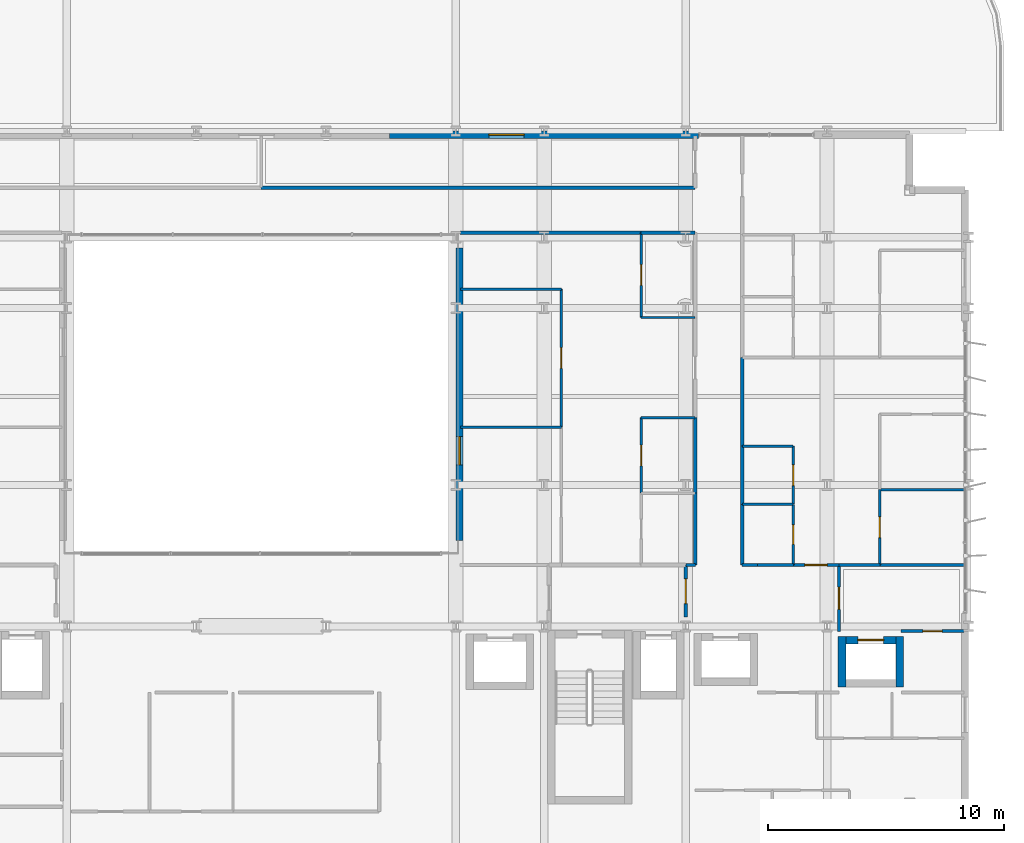
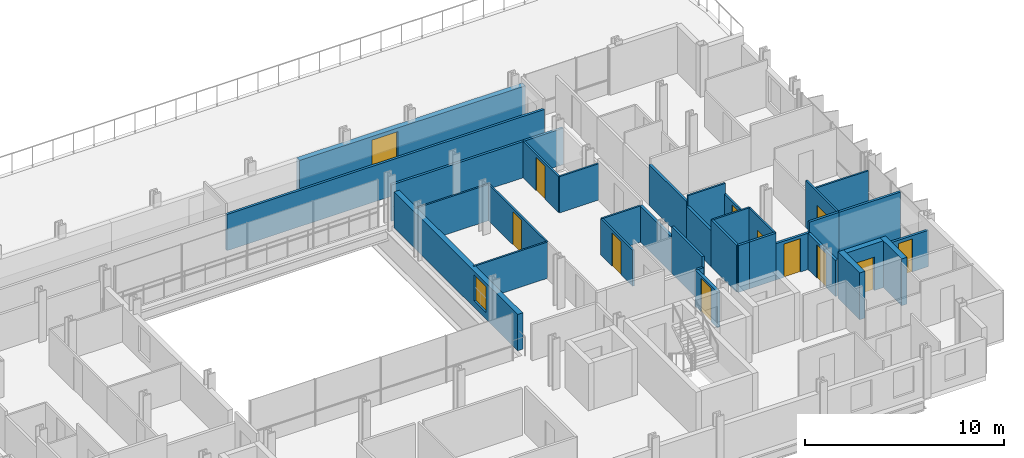
# One storey, part 31 of 38: 35 walls, 11 doors, 2 windows, 13 openings.
"""IFC4 building model written with IfcOpenShell, lengths in metres."""

from ifc_helpers import new_model, si_unit, direction, frame, frame_2d, origin, place, context, subcontext, project, spatial, rectangle, extrude, material, layer, layer_set, type_object, element, fill, save


model = new_model("IFC4")

# Units and contexts
model_context = context("Model", 3, precision=1e-05, world=origin(), true_north=direction((0.0, 1.0)))
body_context = subcontext(model_context, "Body", "Model", "MODEL_VIEW")
ifc_project = project(units=[si_unit("LENGTHUNIT", "METRE"), si_unit("AREAUNIT", "SQUARE_METRE"), si_unit("VOLUMEUNIT", "CUBIC_METRE"), si_unit("PLANEANGLEUNIT", "RADIAN"), si_unit("MASSUNIT", "GRAM", prefix="KILO")], contexts=[model_context])

# Site, building, storey
site_placement = place(None, origin())
site = spatial("IfcSite", under=ifc_project, at=site_placement, CompositionType="ELEMENT")
building_placement = place(site_placement, origin())
building = spatial("IfcBuilding", under=site, at=building_placement, Name="Brevholm Reach", CompositionType="ELEMENT")
storey_placement = place(building_placement, frame((0.0, 0.0, 28.0)))
storey = spatial("IfcBuildingStorey", under=building, at=storey_placement, Name="L06", CompositionType="ELEMENT", Elevation=28.0)

# Walls
ifc_material_1 = material(Name="Concrete C60/75", Category="concrete")
ifc_layer_1 = layer(ifc_material_1, 0.320068359375)
ifc_layer_set_1 = layer_set([ifc_layer_1], Name="Concrete C60/75")
wall_type_1 = type_object("IfcWallType", Name="WAL-COR-320", PredefinedType="SHEAR", material=ifc_layer_set_1)
for number, where, z_axis, x_axis, name in (
    (1, (54.6298828125, 7.419921875, 0.0), (0.0, 0.0, 1.0), (0.0, 1.0, 0.0), "L06 Lift PL-L2 Shaft Wall W"),
    (2, (57.070068359375, 7.419921875, 0.0), (0.0, 0.0, 1.0), (0.0, 1.0, 0.0), "L06 Lift PL-L2 Shaft Wall E"),
):
    element("IfcWall", number, at=place(storey_placement, frame(where, z_axis=z_axis, x_axis=x_axis)), inside=storey, type_object=wall_type_1, Name=name, PredefinedType="SHEAR", context=body_context, shape_type="SweptSolid", body=[
        extrude(rectangle(XDim=2.16015625, YDim=0.320068359375, at=frame_2d((1.080078125, 0.0))), origin(), (0.0, 0.0, 1.0), 2.8701171875),
    ])

# Wall, opening, door
wall_1_placement = place(storey_placement, frame((54.7900390625, 9.419921875, 0.0), z_axis=(0.0, 0.0, 1.0), x_axis=(1.0, 0.0, 0.0)))
wall_1 = element("IfcWall", 3, at=wall_1_placement, inside=storey, type_object=wall_type_1, Name="L06 Lift PL-L2 Shaft Wall N", PredefinedType="SHEAR", context=body_context, shape_type="SweptSolid", body=[
    extrude(rectangle(XDim=2.119873046875, YDim=0.320068359375, at=frame_2d((1.06005859375, 0.0))), origin(), (0.0, 0.0, 1.0), 2.8701171875),
])
opening_1_placement = place(wall_1_placement, frame((0.510009765625, 0.0, 0.0)))
opening_1 = element("IfcOpeningElement", 4, at=opening_1_placement, cuts=wall_1, Name="Opening LD-PL-L2", PredefinedType="OPENING", context=body_context, shape_type="SweptSolid", body=[
    extrude(rectangle(XDim=1.10009765625, YDim=2.06005859375, at=frame_2d((0.550048828125, 1.030029296875))), frame((0.0, 0.169921875, 0.0), z_axis=(0.0, -1.0, 0.0), x_axis=(1.0, 0.0, 0.0)), (0.0, 0.0, 1.0), 0.340087890625),
])
ifc_material_2 = material(Name="Brushed Stainless Steel Fire-Rated Sliding Lift Door", Category="steel")
door_type_1 = type_object("IfcDoorType", Name="DOR-LFT-1100", OperationType="NOTDEFINED", PredefinedType="DOOR", material=ifc_material_2)
door_1_placement = place(opening_1_placement, origin())
door_1 = element("IfcDoor", 5, at=door_1_placement, inside=storey, type_object=door_type_1, Name="L06 Lift PL-L2 Sliding Landing Door", OperationType="SLIDING_TO_LEFT", OverallHeight=2.06005859375, OverallWidth=1.10009765625, PredefinedType="DOOR", context=body_context, shape_type="SweptSolid", body=[
    extrude(rectangle(XDim=1.10009765625, YDim=2.06005859375, at=frame_2d((0.550048828125, 1.030029296875))), frame((0.0, 0.02490234375, 0.0), z_axis=(0.0, -1.0, 0.0), x_axis=(1.0, 0.0, 0.0)), (0.0, 0.0, 1.0), 0.050048828125),
])
fill(opening_1, door_1)

# Wall, opening, window
ifc_material_3 = material(Name="Concrete C40/50", Category="concrete")
ifc_layer_2 = layer(ifc_material_3, 0.300048828125)
ifc_layer_set_2 = layer_set([ifc_layer_2], Name="Concrete C40/50")
wall_type_2 = type_object("IfcWallType", Name="WAL-EXT-300", PredefinedType="STANDARD", material=ifc_layer_set_2)
wall_2_placement = place(storey_placement, frame((35.449951171875, 30.85009765625, 0.0), z_axis=(0.0, 0.0, 1.0), x_axis=(1.0, 0.0, 0.0)))
wall_2 = element("IfcWall", 6, at=wall_2_placement, inside=storey, type_object=wall_type_2, Name="L06 Facade Wall WAL-L06-NP-R", PredefinedType="STANDARD", context=body_context, shape_type="SweptSolid", body=[
    extrude(rectangle(XDim=13.10009765625, YDim=0.300048828125, at=frame_2d((6.550048828125, 0.0))), origin(), (0.0, 0.0, 1.0), 2.305419921875),
])
opening_2_placement = place(wall_2_placement, frame((4.199951171875, 0.0, 0.284912109375)))
opening_2 = element("IfcOpeningElement", 7, at=opening_2_placement, cuts=wall_2, Name="Opening WN-05", PredefinedType="OPENING", context=body_context, shape_type="SweptSolid", body=[
    extrude(rectangle(XDim=1.5, YDim=1.800048828125, at=frame_2d((0.75, 0.89990234375))), frame((0.0, 0.159912109375, 0.0), z_axis=(0.0, -1.0, 0.0), x_axis=(1.0, 0.0, 0.0)), (0.0, 0.0, 1.0), 0.320068359375),
])
ifc_material_4 = material(Name="Dark Anodised Aluminium and Solar-Control IGU Glass", Category="aluminium")
window_type_1 = type_object("IfcWindowType", Name="WIN-RES-1500", PartitioningType="SINGLE_PANEL", PredefinedType="WINDOW", material=ifc_material_4)
window_1_placement = place(opening_2_placement, origin())
window_1 = element("IfcWindow", 8, at=window_1_placement, inside=storey, type_object=window_type_1, Name="L06 Window WIN-L06-NPR-1", OverallHeight=1.800048828125, OverallWidth=1.5, PartitioningType="SINGLE_PANEL", PredefinedType="WINDOW", context=body_context, shape_type="SweptSolid", body=[
    extrude(rectangle(XDim=1.5, YDim=1.800048828125, at=frame_2d((0.75, 0.89990234375))), frame((0.0, 0.030029296875, 0.0), z_axis=(0.0, -1.0, 0.0), x_axis=(1.0, 0.0, 0.0)), (0.0, 0.0, 1.0), 0.06005859375),
])
fill(opening_2, window_1)

wall_3_placement = place(storey_placement, frame((38.39990234375, 13.64990234375, 0.0), z_axis=(0.0, 0.0, 1.0), x_axis=(0.0, 1.0, 0.0)))
wall_3 = element("IfcWall", 9, at=wall_3_placement, inside=storey, type_object=wall_type_2, Name="L06 Facade Wall WAL-L06-AT-E", PredefinedType="STANDARD", context=body_context, shape_type="SweptSolid", body=[
    extrude(rectangle(XDim=12.400146484375, YDim=0.300048828125, at=frame_2d((6.2001953125, 0.0))), origin(), (0.0, 0.0, 1.0), 2.224853515625),
])
opening_3_placement = place(wall_3_placement, frame((3.199951171875, 0.0, 0.405029296875)))
opening_3 = element("IfcOpeningElement", 10, at=opening_3_placement, cuts=wall_3, Name="Opening WN-08", PredefinedType="OPENING", context=body_context, shape_type="SweptSolid", body=[
    extrude(rectangle(XDim=1.199951171875, YDim=1.60009765625, at=frame_2d((0.60009765625, 0.800048828125))), frame((0.0, 0.159912109375, 0.0), z_axis=(0.0, -1.0, 0.0), x_axis=(1.0, 0.0, 0.0)), (0.0, 0.0, 1.0), 0.320068359375),
])
ifc_material_5 = material(Name="Dark Anodised Aluminium and Solar-Control IGU Glass", Category="aluminium")
window_type_2 = type_object("IfcWindowType", Name="WIN-RES-1200", PartitioningType="SINGLE_PANEL", PredefinedType="WINDOW", material=ifc_material_5)
window_2_placement = place(opening_3_placement, origin())
window_2 = element("IfcWindow", 11, at=window_2_placement, inside=storey, type_object=window_type_2, Name="L06 Window WIN-L06-AT-E1", OverallHeight=1.60009765625, OverallWidth=1.199951171875, PartitioningType="SINGLE_PANEL", PredefinedType="WINDOW", context=body_context, shape_type="SweptSolid", body=[
    extrude(rectangle(XDim=1.199951171875, YDim=1.60009765625, at=frame_2d((0.60009765625, 0.800048828125))), frame((0.0, 0.030029296875, 0.0), z_axis=(0.0, -1.0, 0.0), x_axis=(1.0, 0.0, 0.0)), (0.0, 0.0, 1.0), 0.06005859375),
])
fill(opening_3, window_2)

# Wall
ifc_material_6 = material(Name="Moisture-Resistant Acoustic Gypsum Stud Partition 100 mm", Category="gypsum")
ifc_layer_3 = layer(ifc_material_6, 0.10009765625)
ifc_layer_set_3 = layer_set([ifc_layer_3], Name="Moisture-Resistant Acoustic Gypsum Stud Partition 100 mm")
wall_type_3 = type_object("IfcWallType", Name="WAL-PRT-100", PredefinedType="PARTITIONING", material=ifc_layer_set_3)
wall_4_placement = place(storey_placement, frame((46.112060546875, 18.85009765625, 0.0), z_axis=(0.0, 0.0, 1.0), x_axis=(1.0, 0.0, 0.0)))
element("IfcWall", 12, at=wall_4_placement, inside=storey, type_object=wall_type_3, Name="L06 Internal Partition 120", PredefinedType="PARTITIONING", context=body_context, shape_type="SweptSolid", body=[
    extrude(rectangle(XDim=2.283935546875, YDim=0.10009765625, at=frame_2d((1.14208984375, 0.0))), origin(), (0.0, 0.0, 1.0), 2.224853515625),
])

# Wall, opening, door
wall_5_placement = place(storey_placement, frame((46.112060546875, 15.654052734375, 0.0), z_axis=(0.0, 0.0, 1.0), x_axis=(0.0, 1.0, 0.0)))
wall_5 = element("IfcWall", 13, at=wall_5_placement, inside=storey, type_object=wall_type_3, Name="L06 Internal Partition 121", PredefinedType="PARTITIONING", context=body_context, shape_type="SweptSolid", body=[
    extrude(rectangle(XDim=3.196044921875, YDim=0.10009765625, at=frame_2d((1.59814453125, 0.0))), origin(), (0.0, 0.0, 1.0), 2.224853515625),
])
opening_4_placement = place(wall_5_placement, frame((1.157958984375, 0.0, 0.0)))
opening_4 = element("IfcOpeningElement", 14, at=opening_4_placement, cuts=wall_5, Name="Opening ID-01", PredefinedType="OPENING", context=body_context, shape_type="SweptSolid", body=[
    extrude(rectangle(XDim=0.8798828125, YDim=2.0400390625, at=frame_2d((0.43994140625, 1.02001953125))), frame((0.0, 0.06005859375, 0.0), z_axis=(0.0, -1.0, 0.0), x_axis=(1.0, 0.0, 0.0)), (0.0, 0.0, 1.0), 0.1201171875),
])
ifc_material_7 = material(Name="Lacquered Ash Solid-Core Acoustic Internal Door", Category="timber")
door_type_2 = type_object("IfcDoorType", Name="DOR-INT-880", OperationType="NOTDEFINED", PredefinedType="DOOR", material=ifc_material_7)
door_2_placement = place(opening_4_placement, origin())
door_2 = element("IfcDoor", 15, at=door_2_placement, inside=storey, type_object=door_type_2, Name="L06 Internal Door 045", OperationType="SINGLE_SWING_RIGHT", OverallHeight=2.0400390625, OverallWidth=0.8798828125, PredefinedType="DOOR", context=body_context, shape_type="SweptSolid", body=[
    extrude(rectangle(XDim=0.8798828125, YDim=2.0400390625, at=frame_2d((0.43994140625, 1.02001953125))), frame((0.0, 0.02490234375, 0.0), z_axis=(0.0, -1.0, 0.0), x_axis=(1.0, 0.0, 0.0)), (0.0, 0.0, 1.0), 0.050048828125),
])
fill(opening_4, door_2)

# Wall
wall_6_placement = place(storey_placement, frame((46.112060546875, 23.10009765625, 0.0), z_axis=(0.0, 0.0, 1.0), x_axis=(1.0, 0.0, 0.0)))
element("IfcWall", 16, at=wall_6_placement, inside=storey, type_object=wall_type_3, Name="L06 Internal Partition 122", PredefinedType="PARTITIONING", context=body_context, shape_type="SweptSolid", body=[
    extrude(rectangle(XDim=2.283935546875, YDim=0.10009765625, at=frame_2d((1.14208984375, 0.0))), origin(), (0.0, 0.0, 1.0), 2.224853515625),
])

# Wall, opening, door
wall_7_placement = place(storey_placement, frame((46.112060546875, 23.10009765625, 0.0), z_axis=(0.0, 0.0, 1.0), x_axis=(0.0, 1.0, 0.0)))
wall_7 = element("IfcWall", 17, at=wall_7_placement, inside=storey, type_object=wall_type_3, Name="L06 Internal Partition 123", PredefinedType="PARTITIONING", context=body_context, shape_type="SweptSolid", body=[
    extrude(rectangle(XDim=3.595947265625, YDim=0.10009765625, at=frame_2d((1.7978515625, 0.0))), origin(), (0.0, 0.0, 1.0), 2.224853515625),
])
opening_5_placement = place(wall_7_placement, frame((1.35791015625, 0.0, 0.0)))
opening_5 = element("IfcOpeningElement", 18, at=opening_5_placement, cuts=wall_7, Name="Opening ID-01", PredefinedType="OPENING", context=body_context, shape_type="SweptSolid", body=[
    extrude(rectangle(XDim=0.8798828125, YDim=2.0400390625, at=frame_2d((0.43994140625, 1.02001953125))), frame((0.0, 0.06005859375, 0.0), z_axis=(0.0, -1.0, 0.0), x_axis=(1.0, 0.0, 0.0)), (0.0, 0.0, 1.0), 0.1201171875),
])
door_3_placement = place(opening_5_placement, origin())
door_3 = element("IfcDoor", 19, at=door_3_placement, inside=storey, type_object=door_type_2, Name="L06 Internal Door 046", OperationType="SINGLE_SWING_LEFT", OverallHeight=2.0400390625, OverallWidth=0.8798828125, PredefinedType="DOOR", context=body_context, shape_type="SweptSolid", body=[
    extrude(rectangle(XDim=0.8798828125, YDim=2.0400390625, at=frame_2d((0.43994140625, 1.02001953125))), frame((0.0, 0.02490234375, 0.0), z_axis=(0.0, -1.0, 0.0), x_axis=(1.0, 0.0, 0.0)), (0.0, 0.0, 1.0), 0.050048828125),
])
fill(opening_5, door_3)

# Wall
wall_8_placement = place(storey_placement, frame((38.449951171875, 18.449951171875, 0.0), z_axis=(0.0, 0.0, 1.0), x_axis=(1.0, 0.0, 0.0)))
element("IfcWall", 20, at=wall_8_placement, inside=storey, type_object=wall_type_3, Name="L06 Internal Partition 124", PredefinedType="PARTITIONING", context=body_context, shape_type="SweptSolid", body=[
    extrude(rectangle(XDim=4.278076171875, YDim=0.10009765625, at=frame_2d((2.13916015625, 0.0))), origin(), (0.0, 0.0, 1.0), 2.224853515625),
])

# Wall, opening, door
wall_9_placement = place(storey_placement, frame((42.72802734375, 18.4541015625, 0.0), z_axis=(0.0, 0.0, 1.0), x_axis=(0.0, 1.0, 0.0)))
wall_9 = element("IfcWall", 21, at=wall_9_placement, inside=storey, type_object=wall_type_3, Name="L06 Internal Partition 126", PredefinedType="PARTITIONING", context=body_context, shape_type="SweptSolid", body=[
    extrude(rectangle(XDim=5.845947265625, YDim=0.10009765625, at=frame_2d((2.9228515625, 0.0))), origin(), (0.0, 0.0, 1.0), 2.224853515625),
])
opening_6_placement = place(wall_9_placement, frame((2.48291015625, 0.0, 0.0)))
opening_6 = element("IfcOpeningElement", 22, at=opening_6_placement, cuts=wall_9, Name="Opening ID-01", PredefinedType="OPENING", context=body_context, shape_type="SweptSolid", body=[
    extrude(rectangle(XDim=0.8798828125, YDim=2.0400390625, at=frame_2d((0.43994140625, 1.02001953125))), frame((0.0, 0.06005859375, 0.0), z_axis=(0.0, -1.0, 0.0), x_axis=(1.0, 0.0, 0.0)), (0.0, 0.0, 1.0), 0.1201171875),
])
door_4_placement = place(opening_6_placement, origin())
door_4 = element("IfcDoor", 23, at=door_4_placement, inside=storey, type_object=door_type_2, Name="L06 Internal Door 048", OperationType="SINGLE_SWING_LEFT", OverallHeight=2.0400390625, OverallWidth=0.8798828125, PredefinedType="DOOR", context=body_context, shape_type="SweptSolid", body=[
    extrude(rectangle(XDim=0.8798828125, YDim=2.0400390625, at=frame_2d((0.43994140625, 1.02001953125))), frame((0.0, 0.02490234375, 0.0), z_axis=(0.0, -1.0, 0.0), x_axis=(1.0, 0.0, 0.0)), (0.0, 0.0, 1.0), 0.050048828125),
])
fill(opening_6, door_4)

# Walls
wall_10_placement = place(storey_placement, frame((38.449951171875, 24.300048828125, 0.0), z_axis=(0.0, 0.0, 1.0), x_axis=(1.0, 0.0, 0.0)))
element("IfcWall", 24, at=wall_10_placement, inside=storey, type_object=wall_type_3, Name="L06 Internal Partition 127", PredefinedType="PARTITIONING", context=body_context, shape_type="SweptSolid", body=[
    extrude(rectangle(XDim=4.278076171875, YDim=0.10009765625, at=frame_2d((2.13916015625, 0.0))), origin(), (0.0, 0.0, 1.0), 2.224853515625),
])
wall_11_placement = place(storey_placement, frame((50.404052734375, 15.176025390625, 0.0), z_axis=(0.0, 0.0, 1.0), x_axis=(1.0, 0.0, 0.0)))
element("IfcWall", 25, at=wall_11_placement, inside=storey, type_object=wall_type_3, Name="L06 Internal Partition 128", PredefinedType="PARTITIONING", context=body_context, shape_type="SweptSolid", body=[
    extrude(rectangle(XDim=2.157958984375, YDim=0.10009765625, at=frame_2d((1.0791015625, 0.0))), origin(), (0.0, 0.0, 1.0), 2.8701171875),
])

# Wall, opening, door
wall_12_placement = place(storey_placement, frame((52.56201171875, 12.60400390625, 0.0), z_axis=(0.0, 0.0, 1.0), x_axis=(0.0, 1.0, 0.0)))
wall_12 = element("IfcWall", 26, at=wall_12_placement, inside=storey, type_object=wall_type_3, Name="L06 Internal Partition 129", PredefinedType="PARTITIONING", context=body_context, shape_type="SweptSolid", body=[
    extrude(rectangle(XDim=2.572021484375, YDim=0.10009765625, at=frame_2d((1.2861328125, 0.0))), origin(), (0.0, 0.0, 1.0), 2.8701171875),
])
opening_7_placement = place(wall_12_placement, frame((0.8759765625, 0.0, 0.0)))
opening_7 = element("IfcOpeningElement", 27, at=opening_7_placement, cuts=wall_12, Name="Opening ID-03", PredefinedType="OPENING", context=body_context, shape_type="SweptSolid", body=[
    extrude(rectangle(XDim=0.820068359375, YDim=2.02001953125, at=frame_2d((0.41015625, 1.010009765625))), frame((0.0, 0.06005859375, 0.0), z_axis=(0.0, -1.0, 0.0), x_axis=(1.0, 0.0, 0.0)), (0.0, 0.0, 1.0), 0.1201171875),
])
ifc_material_8 = material(Name="Moisture-Resistant Painted Timber Internal Bathroom Door", Category="wood")
door_type_3 = type_object("IfcDoorType", Name="DOR-BATH-820", OperationType="NOTDEFINED", PredefinedType="DOOR", material=ifc_material_8)
door_5_placement = place(opening_7_placement, origin())
door_5 = element("IfcDoor", 28, at=door_5_placement, inside=storey, type_object=door_type_3, Name="L06 Internal Door 049", OperationType="SINGLE_SWING_RIGHT", OverallHeight=2.02001953125, OverallWidth=0.820068359375, PredefinedType="DOOR", context=body_context, shape_type="SweptSolid", body=[
    extrude(rectangle(XDim=0.820068359375, YDim=2.02001953125, at=frame_2d((0.41015625, 1.010009765625))), frame((0.0, 0.02490234375, 0.0), z_axis=(0.0, -1.0, 0.0), x_axis=(1.0, 0.0, 0.0)), (0.0, 0.0, 1.0), 0.050048828125),
])
fill(opening_7, door_5)

wall_13_placement = place(storey_placement, frame((52.56201171875, 15.179931640625, 0.0), z_axis=(0.0, 0.0, 1.0), x_axis=(0.0, 1.0, 0.0)))
wall_13 = element("IfcWall", 29, at=wall_13_placement, inside=storey, type_object=wall_type_3, Name="L06 Internal Partition 130", PredefinedType="PARTITIONING", context=body_context, shape_type="SweptSolid", body=[
    extrude(rectangle(XDim=2.4599609375, YDim=0.10009765625, at=frame_2d((1.22998046875, 0.0))), origin(), (0.0, 0.0, 1.0), 2.224853515625),
])
opening_8_placement = place(wall_13_placement, frame((0.7900390625, 0.0, 0.0)))
opening_8 = element("IfcOpeningElement", 30, at=opening_8_placement, cuts=wall_13, Name="Opening ID-01", PredefinedType="OPENING", context=body_context, shape_type="SweptSolid", body=[
    extrude(rectangle(XDim=0.8798828125, YDim=2.0400390625, at=frame_2d((0.43994140625, 1.02001953125))), frame((0.0, 0.06005859375, 0.0), z_axis=(0.0, -1.0, 0.0), x_axis=(1.0, 0.0, 0.0)), (0.0, 0.0, 1.0), 0.1201171875),
])
door_6_placement = place(opening_8_placement, origin())
door_6 = element("IfcDoor", 31, at=door_6_placement, inside=storey, type_object=door_type_2, Name="L06 Internal Door 050", OperationType="SINGLE_SWING_LEFT", OverallHeight=2.0400390625, OverallWidth=0.8798828125, PredefinedType="DOOR", context=body_context, shape_type="SweptSolid", body=[
    extrude(rectangle(XDim=0.8798828125, YDim=2.0400390625, at=frame_2d((0.43994140625, 1.02001953125))), frame((0.0, 0.02490234375, 0.0), z_axis=(0.0, -1.0, 0.0), x_axis=(1.0, 0.0, 0.0)), (0.0, 0.0, 1.0), 0.050048828125),
])
fill(opening_8, door_6)

# Walls
wall_14_placement = place(storey_placement, frame((50.404052734375, 17.639892578125, 0.0), z_axis=(0.0, 0.0, 1.0), x_axis=(1.0, 0.0, 0.0)))
element("IfcWall", 32, at=wall_14_placement, inside=storey, type_object=wall_type_3, Name="L06 Internal Partition 131", PredefinedType="PARTITIONING", context=body_context, shape_type="SweptSolid", body=[
    extrude(rectangle(XDim=2.157958984375, YDim=0.10009765625, at=frame_2d((1.0791015625, 0.0))), origin(), (0.0, 0.0, 1.0), 2.8701171875),
])
wall_15_placement = place(storey_placement, frame((56.22802734375, 15.800048828125, 0.0), z_axis=(0.0, 0.0, 1.0), x_axis=(1.0, 0.0, 0.0)))
element("IfcWall", 33, at=wall_15_placement, inside=storey, type_object=wall_type_3, Name="L06 Internal Partition 132", PredefinedType="PARTITIONING", context=body_context, shape_type="SweptSolid", body=[
    extrude(rectangle(XDim=3.572021484375, YDim=0.10009765625, at=frame_2d((1.7861328125, 0.0))), origin(), (0.0, 0.0, 1.0), 2.224853515625),
])

# Wall, opening, door
wall_16_placement = place(storey_placement, frame((56.22802734375, 12.60400390625, 0.0), z_axis=(0.0, 0.0, 1.0), x_axis=(0.0, 1.0, 0.0)))
wall_16 = element("IfcWall", 34, at=wall_16_placement, inside=storey, type_object=wall_type_3, Name="L06 Internal Partition 133", PredefinedType="PARTITIONING", context=body_context, shape_type="SweptSolid", body=[
    extrude(rectangle(XDim=3.196044921875, YDim=0.10009765625, at=frame_2d((1.59814453125, 0.0))), origin(), (0.0, 0.0, 1.0), 2.8701171875),
])
opening_9_placement = place(wall_16_placement, frame((1.157958984375, 0.0, 0.0)))
opening_9 = element("IfcOpeningElement", 35, at=opening_9_placement, cuts=wall_16, Name="Opening ID-01", PredefinedType="OPENING", context=body_context, shape_type="SweptSolid", body=[
    extrude(rectangle(XDim=0.8798828125, YDim=2.0400390625, at=frame_2d((0.43994140625, 1.02001953125))), frame((0.0, 0.06005859375, 0.0), z_axis=(0.0, -1.0, 0.0), x_axis=(1.0, 0.0, 0.0)), (0.0, 0.0, 1.0), 0.1201171875),
])
door_7_placement = place(opening_9_placement, origin())
door_7 = element("IfcDoor", 36, at=door_7_placement, inside=storey, type_object=door_type_2, Name="L06 Internal Door 051", OperationType="SINGLE_SWING_RIGHT", OverallHeight=2.0400390625, OverallWidth=0.8798828125, PredefinedType="DOOR", context=body_context, shape_type="SweptSolid", body=[
    extrude(rectangle(XDim=0.8798828125, YDim=2.0400390625, at=frame_2d((0.43994140625, 1.02001953125))), frame((0.0, 0.02490234375, 0.0), z_axis=(0.0, -1.0, 0.0), x_axis=(1.0, 0.0, 0.0)), (0.0, 0.0, 1.0), 0.050048828125),
])
fill(opening_9, door_7)

ifc_material_9 = material(Name="Twin-Stud Acoustic Fire-Rated Gypsum Partition 140 mm", Category="gypsum")
ifc_layer_4 = layer(ifc_material_9, 0.139892578125)
ifc_layer_set_4 = layer_set([ifc_layer_4], Name="Twin-Stud Acoustic Fire-Rated Gypsum Partition 140 mm")
wall_type_4 = type_object("IfcWallType", Name="WAL-PRT-140", PredefinedType="PARTITIONING", material=ifc_layer_set_4)
wall_17_placement = place(storey_placement, frame((54.5, 9.788818359375, 0.0), z_axis=(0.0, 0.0, 1.0), x_axis=(0.0, 1.0, 0.0)))
wall_17 = element("IfcWall", 37, at=wall_17_placement, inside=storey, type_object=wall_type_4, Name="L06 Internal Partition 013", PredefinedType="PARTITIONING", context=body_context, shape_type="SweptSolid", body=[
    extrude(rectangle(XDim=2.811279296875, YDim=0.139892578125, at=frame_2d((1.40576171875, 0.0))), origin(), (0.0, 0.0, 1.0), 2.224853515625),
])
opening_10_placement = place(wall_17_placement, frame((0.9306640625, 0.0, 0.0)))
opening_10 = element("IfcOpeningElement", 38, at=opening_10_placement, cuts=wall_17, Name="Opening ID-30", PredefinedType="OPENING", context=body_context, shape_type="SweptSolid", body=[
    extrude(rectangle(XDim=0.949951171875, YDim=2.050048828125, at=frame_2d((0.47509765625, 1.02490234375))), frame((0.0, 0.079833984375, 0.0), z_axis=(0.0, -1.0, 0.0), x_axis=(1.0, 0.0, 0.0)), (0.0, 0.0, 1.0), 0.159912109375),
])
ifc_material_10 = material(Name="European Oak Veneered Solid-Core Fire Entrance Door", Category="timber")
door_type_4 = type_object("IfcDoorType", Name="DOR-FLT-FD30S", OperationType="NOTDEFINED", PredefinedType="DOOR", material=ifc_material_10)
door_8_placement = place(opening_10_placement, origin())
door_8 = element("IfcDoor", 39, at=door_8_placement, inside=storey, type_object=door_type_4, Name="L06 Internal Door 008", OperationType="SINGLE_SWING_LEFT", OverallHeight=2.050048828125, OverallWidth=0.949951171875, PredefinedType="DOOR", context=body_context, shape_type="SweptSolid", body=[
    extrude(rectangle(XDim=0.949951171875, YDim=2.050048828125, at=frame_2d((0.47509765625, 1.02490234375))), frame((0.0, 0.02490234375, 0.0), z_axis=(0.0, -1.0, 0.0), x_axis=(1.0, 0.0, 0.0)), (0.0, 0.0, 1.0), 0.050048828125),
])
fill(opening_10, door_8)

# Wall
wall_18_placement = place(storey_placement, frame((51.050048828125, 12.60009765625, 0.0), z_axis=(0.0, 0.0, 1.0), x_axis=(1.0, 0.0, 0.0)))
element("IfcWall", 40, at=wall_18_placement, inside=storey, type_object=wall_type_4, Name="L06 Internal Partition 016", PredefinedType="PARTITIONING", context=body_context, shape_type="SweptSolid", body=[
    extrude(rectangle(XDim=1.523193359375, YDim=0.139892578125, at=frame_2d((0.76171875, 0.0))), origin(), (0.0, 0.0, 1.0), 2.8701171875),
])

# Wall, opening, door
wall_19_placement = place(storey_placement, frame((52.5546875, 12.60009765625, 0.0), z_axis=(0.0, 0.0, 1.0), x_axis=(1.0, 0.0, 0.0)))
wall_19 = element("IfcWall", 41, at=wall_19_placement, inside=storey, type_object=wall_type_4, Name="L06 Internal Partition 017", PredefinedType="PARTITIONING", context=body_context, shape_type="SweptSolid", body=[
    extrude(rectangle(XDim=1.9453125, YDim=0.139892578125, at=frame_2d((0.97265625, 0.0))), origin(), (0.0, 0.0, 1.0), 2.224853515625),
])
opening_11_placement = place(wall_19_placement, frame((0.497802734375, 0.0, 0.0)))
opening_11 = element("IfcOpeningElement", 42, at=opening_11_placement, cuts=wall_19, Name="Opening ID-30", PredefinedType="OPENING", context=body_context, shape_type="SweptSolid", body=[
    extrude(rectangle(XDim=0.949951171875, YDim=2.050048828125, at=frame_2d((0.47509765625, 1.02490234375))), frame((0.0, 0.079833984375, 0.0), z_axis=(0.0, -1.0, 0.0), x_axis=(1.0, 0.0, 0.0)), (0.0, 0.0, 1.0), 0.159912109375),
])
door_9_placement = place(opening_11_placement, origin())
door_9 = element("IfcDoor", 43, at=door_9_placement, inside=storey, type_object=door_type_4, Name="L06 Internal Door 010", OperationType="SINGLE_SWING_LEFT", OverallHeight=2.050048828125, OverallWidth=0.949951171875, PredefinedType="DOOR", context=body_context, shape_type="SweptSolid", body=[
    extrude(rectangle(XDim=0.949951171875, YDim=2.050048828125, at=frame_2d((0.47509765625, 1.02490234375))), frame((0.0, 0.02490234375, 0.0), z_axis=(0.0, -1.0, 0.0), x_axis=(1.0, 0.0, 0.0)), (0.0, 0.0, 1.0), 0.050048828125),
])
fill(opening_11, door_9)

# Walls
wall_20_placement = place(storey_placement, frame((48.00390625, 12.60009765625, 0.0), z_axis=(0.0, 0.0, 1.0), x_axis=(1.0, 0.0, 0.0)))
element("IfcWall", 44, at=wall_20_placement, inside=storey, type_object=wall_type_4, Name="L06 Internal Partition 036", PredefinedType="PARTITIONING", context=body_context, shape_type="SweptSolid", body=[
    extrude(rectangle(XDim=0.4033203125, YDim=0.139892578125, at=frame_2d((0.20166015625, 0.0))), origin(), (0.0, 0.0, 1.0), 2.224853515625),
])
wall_21_placement = place(storey_placement, frame((50.392578125, 12.60009765625, 0.0), z_axis=(0.0, 0.0, 1.0), x_axis=(1.0, 0.0, 0.0)))
element("IfcWall", 45, at=wall_21_placement, inside=storey, type_object=wall_type_4, Name="L06 Internal Partition 037", PredefinedType="PARTITIONING", context=body_context, shape_type="SweptSolid", body=[
    extrude(rectangle(XDim=0.6533203125, YDim=0.139892578125, at=frame_2d((0.32666015625, 0.0))), origin(), (0.0, 0.0, 1.0), 2.8701171875),
])
wall_22_placement = place(storey_placement, frame((48.39990234375, 12.60400390625, 0.0), z_axis=(0.0, 0.0, 1.0), x_axis=(0.0, 1.0, 0.0)))
element("IfcWall", 46, at=wall_22_placement, inside=storey, type_object=wall_type_4, Name="L06 Internal Partition 049", PredefinedType="PARTITIONING", context=body_context, shape_type="SweptSolid", body=[
    extrude(rectangle(XDim=3.057373046875, YDim=0.139892578125, at=frame_2d((1.52880859375, 0.0))), origin(), (0.0, 0.0, 1.0), 2.8701171875),
])
wall_23_placement = place(storey_placement, frame((48.39990234375, 15.642578125, 0.0), z_axis=(0.0, 0.0, 1.0), x_axis=(0.0, 1.0, 0.0)))
element("IfcWall", 47, at=wall_23_placement, inside=storey, type_object=wall_type_4, Name="L06 Internal Partition 050", PredefinedType="PARTITIONING", context=body_context, shape_type="SweptSolid", body=[
    extrude(rectangle(XDim=3.21875, YDim=0.139892578125, at=frame_2d((1.609375, 0.0))), origin(), (0.0, 0.0, 1.0), 2.224853515625),
])
wall_24_placement = place(storey_placement, frame((50.39990234375, 12.60400390625, 0.0), z_axis=(0.0, 0.0, 1.0), x_axis=(0.0, 1.0, 0.0)))
element("IfcWall", 48, at=wall_24_placement, inside=storey, type_object=wall_type_4, Name="L06 Internal Partition 053", PredefinedType="PARTITIONING", context=body_context, shape_type="SweptSolid", body=[
    extrude(rectangle(XDim=2.583251953125, YDim=0.139892578125, at=frame_2d((1.29150390625, 0.0))), origin(), (0.0, 0.0, 1.0), 2.8701171875),
])
wall_25_placement = place(storey_placement, frame((50.39990234375, 15.168701171875, 0.0), z_axis=(0.0, 0.0, 1.0), x_axis=(0.0, 1.0, 0.0)))
element("IfcWall", 49, at=wall_25_placement, inside=storey, type_object=wall_type_4, Name="L06 Internal Partition 054", PredefinedType="PARTITIONING", context=body_context, shape_type="SweptSolid", body=[
    extrude(rectangle(XDim=2.482666015625, YDim=0.139892578125, at=frame_2d((1.2412109375, 0.0))), origin(), (0.0, 0.0, 1.0), 2.224853515625),
])
wall_26_placement = place(storey_placement, frame((50.39990234375, 17.6328125, 0.0), z_axis=(0.0, 0.0, 1.0), x_axis=(0.0, 1.0, 0.0)))
element("IfcWall", 50, at=wall_26_placement, inside=storey, type_object=wall_type_4, Name="L06 Internal Partition 055", PredefinedType="PARTITIONING", context=body_context, shape_type="SweptSolid", body=[
    extrude(rectangle(XDim=3.778564453125, YDim=0.139892578125, at=frame_2d((1.88916015625, 0.0))), origin(), (0.0, 0.0, 1.0), 2.489990234375),
])
wall_27_placement = place(storey_placement, frame((46.1005859375, 26.699951171875, 0.0), z_axis=(0.0, 0.0, 1.0), x_axis=(1.0, 0.0, 0.0)))
element("IfcWall", 51, at=wall_27_placement, inside=storey, type_object=wall_type_4, Name="L06 Internal Partition 062", PredefinedType="PARTITIONING", context=body_context, shape_type="SweptSolid", body=[
    extrude(rectangle(XDim=2.29541015625, YDim=0.139892578125, at=frame_2d((1.147705078125, 0.0))), origin(), (0.0, 0.0, 1.0), 2.224853515625),
])
wall_28_placement = place(storey_placement, frame((38.438720703125, 26.699951171875, 0.0), z_axis=(0.0, 0.0, 1.0), x_axis=(1.0, 0.0, 0.0)))
element("IfcWall", 52, at=wall_28_placement, inside=storey, type_object=wall_type_4, Name="L06 Internal Partition 063", PredefinedType="PARTITIONING", context=body_context, shape_type="SweptSolid", body=[
    extrude(rectangle(XDim=7.6806640625, YDim=0.139892578125, at=frame_2d((3.84033203125, 0.0))), origin(), (0.0, 0.0, 1.0), 2.224853515625),
])
wall_29_placement = place(storey_placement, frame((29.99267578125, 28.60009765625, 0.0), z_axis=(0.0, 0.0, 1.0), x_axis=(1.0, 0.0, 0.0)))
element("IfcWall", 53, at=wall_29_placement, inside=storey, type_object=wall_type_4, Name="L06 Internal Partition 065", PredefinedType="PARTITIONING", context=body_context, shape_type="SweptSolid", body=[
    extrude(rectangle(XDim=18.4033203125, YDim=0.139892578125, at=frame_2d((9.20166015625, 0.0))), origin(), (0.0, 0.0, 1.0), 2.224853515625),
])

# Wall, opening, door
wall_30_placement = place(storey_placement, frame((57.138671875, 9.800048828125, 0.0), z_axis=(0.0, 0.0, 1.0), x_axis=(1.0, 0.0, 0.0)))
wall_30 = element("IfcWall", 54, at=wall_30_placement, inside=storey, type_object=wall_type_4, Name="L06 Internal Partition 079", PredefinedType="PARTITIONING", context=body_context, shape_type="SweptSolid", body=[
    extrude(rectangle(XDim=2.661376953125, YDim=0.139892578125, at=frame_2d((1.33056640625, 0.0))), origin(), (0.0, 0.0, 1.0), 2.224853515625),
])
opening_12_placement = place(wall_30_placement, frame((0.920654296875, 0.0, 0.0)))
opening_12 = element("IfcOpeningElement", 55, at=opening_12_placement, cuts=wall_30, Name="Opening ID-02", PredefinedType="OPENING", context=body_context, shape_type="SweptSolid", body=[
    extrude(rectangle(XDim=0.820068359375, YDim=2.02001953125, at=frame_2d((0.41015625, 1.010009765625))), frame((0.0, 0.079833984375, 0.0), z_axis=(0.0, -1.0, 0.0), x_axis=(1.0, 0.0, 0.0)), (0.0, 0.0, 1.0), 0.159912109375),
])
ifc_material_11 = material(Name="Moisture-Resistant Painted Timber Fire-Rated Riser and Service Door", Category="wood")
door_type_5 = type_object("IfcDoorType", Name="DOR-SRV-820", OperationType="NOTDEFINED", PredefinedType="DOOR", material=ifc_material_11)
door_10_placement = place(opening_12_placement, origin())
door_10 = element("IfcDoor", 56, at=door_10_placement, inside=storey, type_object=door_type_5, Name="L06 Access Door 056", OperationType="SINGLE_SWING_LEFT", OverallHeight=2.02001953125, OverallWidth=0.820068359375, PredefinedType="DOOR", context=body_context, shape_type="SweptSolid", body=[
    extrude(rectangle(XDim=0.820068359375, YDim=2.02001953125, at=frame_2d((0.41015625, 1.010009765625))), frame((0.0, 0.02490234375, 0.0), z_axis=(0.0, -1.0, 0.0), x_axis=(1.0, 0.0, 0.0)), (0.0, 0.0, 1.0), 0.050048828125),
])
fill(opening_12, door_10)

# Walls
wall_31_placement = place(storey_placement, frame((56.216796875, 12.60009765625, 0.0), z_axis=(0.0, 0.0, 1.0), x_axis=(1.0, 0.0, 0.0)))
element("IfcWall", 57, at=wall_31_placement, inside=storey, type_object=wall_type_4, Name="L06 Internal Partition 080", PredefinedType="PARTITIONING", context=body_context, shape_type="SweptSolid", body=[
    extrude(rectangle(XDim=3.583251953125, YDim=0.139892578125, at=frame_2d((1.79150390625, 0.0))), origin(), (0.0, 0.0, 1.0), 2.8701171875),
])
wall_32_placement = place(storey_placement, frame((54.50390625, 12.60009765625, 0.0), z_axis=(0.0, 0.0, 1.0), x_axis=(1.0, 0.0, 0.0)))
element("IfcWall", 58, at=wall_32_placement, inside=storey, type_object=wall_type_4, Name="L06 Internal Partition 081", PredefinedType="PARTITIONING", context=body_context, shape_type="SweptSolid", body=[
    extrude(rectangle(XDim=1.7314453125, YDim=0.139892578125, at=frame_2d((0.86572265625, 0.0))), origin(), (0.0, 0.0, 1.0), 2.8701171875),
])

# Wall, opening, door
ifc_material_12 = material(Name="Twin-Frame Fire-Rated Gypsum Board and Mineral Wool 160 mm", Category="gypsum")
ifc_layer_5 = layer(ifc_material_12, 0.159912109375)
ifc_layer_set_5 = layer_set([ifc_layer_5], Name="Twin-Frame Fire-Rated Gypsum Board and Mineral Wool 160 mm")
wall_type_5 = type_object("IfcWallType", Name="WAL-PRT-160", PredefinedType="PARTITIONING", material=ifc_layer_set_5)
wall_33_placement = place(storey_placement, frame((48.0, 10.388671875, 0.0), z_axis=(0.0, 0.0, 1.0), x_axis=(0.0, 1.0, 0.0)))
wall_33 = element("IfcWall", 59, at=wall_33_placement, inside=storey, type_object=wall_type_5, Name="L06 Internal Partition 025", PredefinedType="PARTITIONING", context=body_context, shape_type="SweptSolid", body=[
    extrude(rectangle(XDim=2.21142578125, YDim=0.159912109375, at=frame_2d((1.105712890625, 0.0))), origin(), (0.0, 0.0, 1.0), 2.224853515625),
])
opening_13_placement = place(wall_33_placement, frame((0.58056640625, 0.0, 0.0)))
opening_13 = element("IfcOpeningElement", 60, at=opening_13_placement, cuts=wall_33, Name="Opening FD-01", PredefinedType="OPENING", context=body_context, shape_type="SweptSolid", body=[
    extrude(rectangle(XDim=1.050048828125, YDim=2.06005859375, at=frame_2d((0.52490234375, 1.030029296875))), frame((0.0, 0.08984375, 0.0), z_axis=(0.0, -1.0, 0.0), x_axis=(1.0, 0.0, 0.0)), (0.0, 0.0, 1.0), 0.179931640625),
])
ifc_material_13 = material(Name="Hardwood-Lipped Steel-Core Fire and Smoke Door", Category="steel")
door_type_6 = type_object("IfcDoorType", Name="DOR-INT-FD60S", OperationType="NOTDEFINED", PredefinedType="DOOR", material=ifc_material_13)
door_11_placement = place(opening_13_placement, origin())
door_11 = element("IfcDoor", 61, at=door_11_placement, inside=storey, type_object=door_type_6, Name="L06 Internal Door 014", OperationType="SINGLE_SWING_LEFT", OverallHeight=2.06005859375, OverallWidth=1.050048828125, PredefinedType="DOOR", context=body_context, shape_type="SweptSolid", body=[
    extrude(rectangle(XDim=1.050048828125, YDim=2.06005859375, at=frame_2d((0.52490234375, 1.030029296875))), frame((0.0, 0.02490234375, 0.0), z_axis=(0.0, -1.0, 0.0), x_axis=(1.0, 0.0, 0.0)), (0.0, 0.0, 1.0), 0.050048828125),
])
fill(opening_13, door_11)

save(model, "model.ifc")
